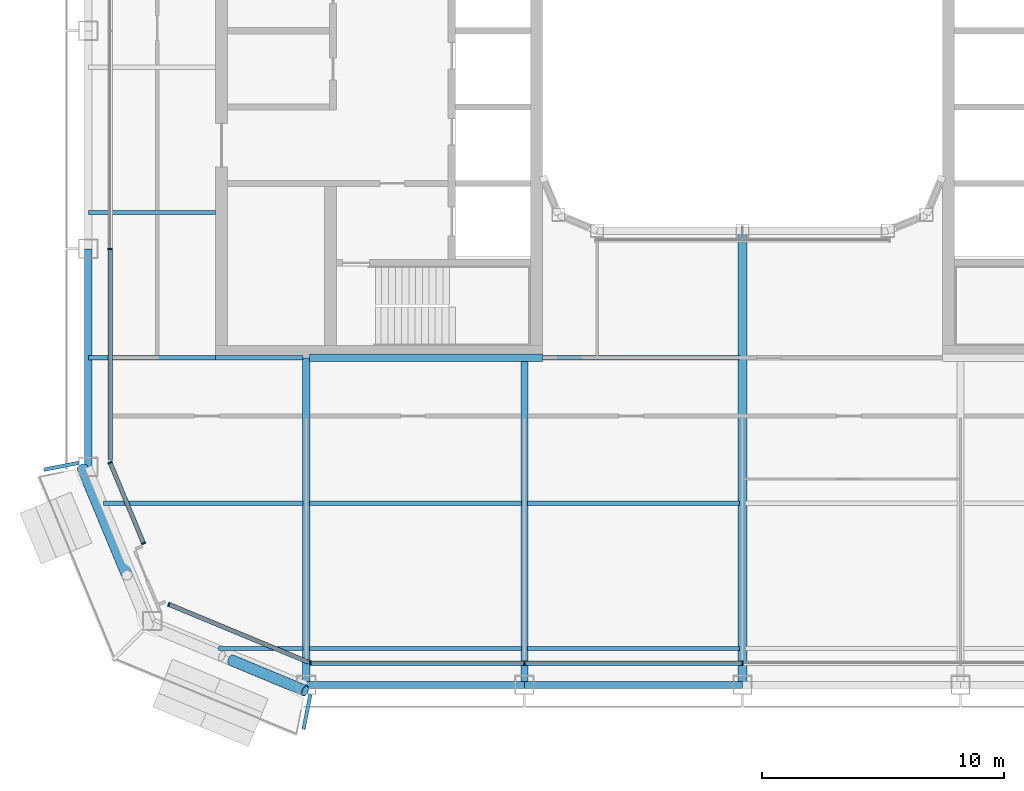
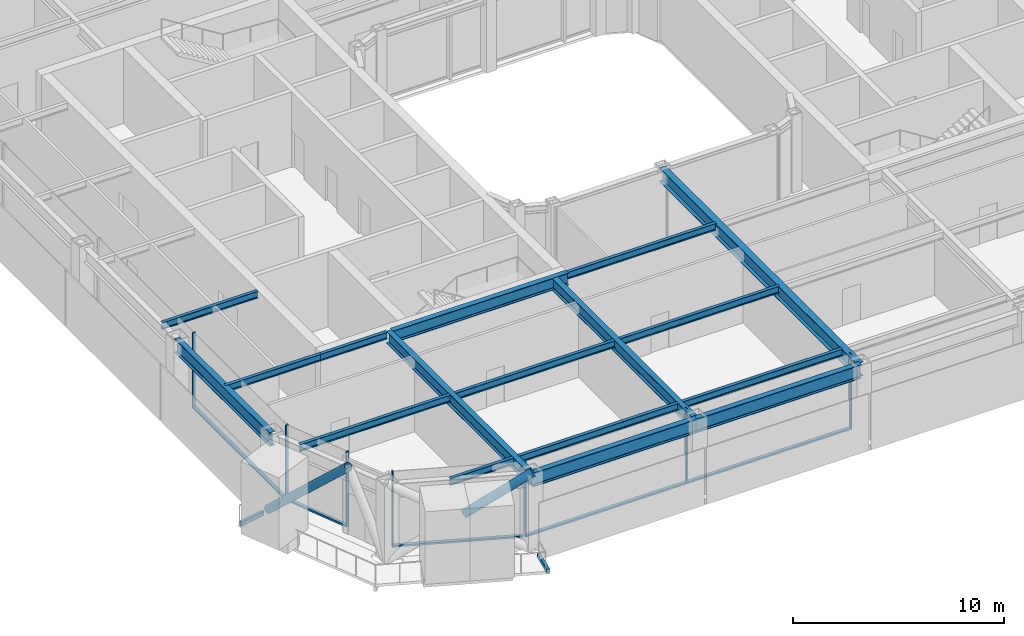
# One storey, part 2 of 23: 19 beams, 14 members, 4 elements without a shape of their own.
"""IFC4 building model written with IfcOpenShell, lengths in metres."""

from ifc_helpers import new_model, si_unit, direction, frame, origin, origin_2d, place, context, subcontext, project, spatial, rectangle, hollow_rectangle, hollow_circle, i_section, extrude, material, layer, layer_set, material_profile, profile_set, type_object, element, aggregate, save


model = new_model("IFC4")

# Units and contexts
model_context = context("Model", 3, precision=1e-05, world=origin(), true_north=direction((0.0, 1.0)))
body_context = subcontext(model_context, "Body", "Model", "MODEL_VIEW")
ifc_project = project(units=[si_unit("LENGTHUNIT", "METRE"), si_unit("AREAUNIT", "SQUARE_METRE"), si_unit("VOLUMEUNIT", "CUBIC_METRE"), si_unit("PLANEANGLEUNIT", "RADIAN"), si_unit("MASSUNIT", "GRAM", prefix="KILO")], contexts=[model_context])

# Site, building, storey
site_placement = place(None, origin())
site = spatial("IfcSite", under=ifc_project, at=site_placement, CompositionType="ELEMENT")
building_placement = place(site_placement, origin())
building = spatial("IfcBuilding", under=site, at=building_placement, Name="Siwar Civic Tower", CompositionType="ELEMENT")
storey_placement = place(building_placement, frame((0.0, 0.0, 251.199951171875)))
storey = spatial("IfcBuildingStorey", under=building, at=storey_placement, Name="L54", CompositionType="ELEMENT", Elevation=251.199951171875)

# Beams
ifc_material_1 = material(Name="Steel S355", Category="steel")
ifc_material_profile_1 = material_profile(ifc_material_1, hollow_rectangle(XDim=0.14990234375, YDim=0.25, WallThickness=0.010009765625, at=origin_2d()), Name="RHS250x150x10")
ifc_profile_set_1 = profile_set([ifc_material_profile_1], Name="Steel S355")
beam_type_1 = type_object("IfcBeamType", Name="ENV-BALCONY ARM", PredefinedType="BEAM", material=ifc_profile_set_1)
for number, where, z_axis, x_axis, name in (
    (1, (-27.39990234375, -17.8349609375, -0.27490234375), (-0.980794792252, -0.195042496631, 0.0), (0.195042496631, -0.980794792252, 0.0), "Balcony cantilever beam SW 1"),
    (2, (-17.8349609375, -27.39990234375, -0.27490234375), (-0.195042496631, -0.980794792252, 0.0), (0.980794792252, -0.195042496631, 0.0), "Balcony cantilever beam SW 3"),
):
    element("IfcBeam", number, at=place(storey_placement, frame(where, z_axis=z_axis, x_axis=x_axis)), inside=storey, type_object=beam_type_1, Name=name, PredefinedType="BEAM", context=body_context, shape_type="SweptSolid", body=[
        extrude(hollow_rectangle(XDim=0.14990234375, YDim=0.25, WallThickness=0.010009765625, at=origin_2d()), origin(), (0.0, 0.0, 1.0), 1.443359375),
    ])

# Curtain wall, members
ifc_material_2 = material(Name="Aluminium and glass", Category="aluminium")
ifc_layer_1 = layer(ifc_material_2, 0.179931640625)
ifc_layer_set_1 = layer_set([ifc_layer_1], Name="Aluminium and glass")
curtain_wall_type_1 = type_object("IfcCurtainWallType", Name="ENV-CW-C", PredefinedType="NOTDEFINED", material=ifc_layer_set_1)
curtain_wall_1_placement = place(storey_placement, origin())
curtain_wall_1 = element("IfcCurtainWall", 3, at=curtain_wall_1_placement, inside=storey, type_object=curtain_wall_type_1, Name="Curtain wall C S", PredefinedType="NOTDEFINED")
ifc_material_3 = material(Name="Aluminium 6063-T6", Category="aluminium")
ifc_material_profile_2 = material_profile(ifc_material_3, rectangle(XDim=0.179931640625, YDim=0.06005859375, at=origin_2d()), Name="AL 180x60")
ifc_profile_set_2 = profile_set([ifc_material_profile_2], Name="Aluminium 6063-T6")
member_type_1 = type_object("IfcMemberType", Name="ENV-MULLION-C", PredefinedType="MULLION", material=ifc_profile_set_2)
member_1_placement = place(storey_placement, frame((-17.821044921875, -26.10009765625, 0.0), z_axis=(0.0, 0.0, 1.0), x_axis=(0.0, 1.0, 0.0)))
member_1 = element("IfcMember", 4, at=member_1_placement, type_object=member_type_1, Name="Mullion C S 1", PredefinedType="MULLION", context=body_context, shape_type="SweptSolid", body=[
    extrude(rectangle(XDim=0.179931640625, YDim=0.06005859375, at=origin_2d()), origin(), (0.0, 0.0, 1.0), 4.35009765625),
])
member_2_placement = place(storey_placement, frame((-9.0, -26.10009765625, 0.0), z_axis=(0.0, 0.0, 1.0), x_axis=(0.0, 1.0, 0.0)))
member_2 = element("IfcMember", 5, at=member_2_placement, type_object=member_type_1, Name="Mullion C S 2", PredefinedType="MULLION", context=body_context, shape_type="SweptSolid", body=[
    extrude(rectangle(XDim=0.179931640625, YDim=0.06005859375, at=origin_2d()), origin(), (0.0, 0.0, 1.0), 4.35009765625),
])
member_3_placement = place(storey_placement, frame((0.0, -26.10009765625, 0.0), z_axis=(0.0, 0.0, 1.0), x_axis=(0.0, 1.0, 0.0)))
member_3 = element("IfcMember", 6, at=member_3_placement, type_object=member_type_1, Name="Mullion C S 3", PredefinedType="MULLION", context=body_context, shape_type="SweptSolid", body=[
    extrude(rectangle(XDim=0.179931640625, YDim=0.06005859375, at=origin_2d()), origin(), (0.0, 0.0, 1.0), 4.35009765625),
])

# Curtain wall, member
curtain_wall_2_placement = place(storey_placement, origin())
curtain_wall_2 = element("IfcCurtainWall", 7, at=curtain_wall_2_placement, inside=storey, type_object=curtain_wall_type_1, Name="Curtain wall C W", PredefinedType="NOTDEFINED")
member_4_placement = place(storey_placement, frame((-26.10009765625, -9.0, 0.0), z_axis=(0.0, 0.0, 1.0), x_axis=(1.0, 0.0, 0.0)))
member_4 = element("IfcMember", 8, at=member_4_placement, type_object=member_type_1, Name="Mullion C W 4", PredefinedType="MULLION", context=body_context, shape_type="SweptSolid", body=[
    extrude(rectangle(XDim=0.179931640625, YDim=0.06005859375, at=origin_2d()), origin(), (0.0, 0.0, 1.0), 4.35009765625),
])

# Curtain wall, members
ifc_material_4 = material(Name="Aluminium clad insulated panel", Category="aluminium")
ifc_layer_2 = layer(ifc_material_4, 0.179931640625)
ifc_layer_set_2 = layer_set([ifc_layer_2], Name="Aluminium clad insulated panel")
curtain_wall_type_2 = type_object("IfcCurtainWallType", Name="ENV-CW-CX", PredefinedType="NOTDEFINED", material=ifc_layer_set_2)
curtain_wall_3_placement = place(storey_placement, origin())
curtain_wall_3 = element("IfcCurtainWall", 9, at=curtain_wall_3_placement, inside=storey, type_object=curtain_wall_type_2, Name="Curtain wall C SW1", PredefinedType="NOTDEFINED")
member_5_placement = place(storey_placement, frame((-26.10009765625, -17.821044921875, 0.0), z_axis=(0.0, 0.0, 1.0), x_axis=(0.923879532511, 0.382683432365, 0.0)))
member_5 = element("IfcMember", 10, at=member_5_placement, type_object=member_type_1, Name="Mullion C SW1 1", PredefinedType="MULLION", context=body_context, shape_type="SweptSolid", body=[
    extrude(rectangle(XDim=0.179931640625, YDim=0.06005859375, at=origin_2d()), origin(), (0.0, 0.0, 1.0), 4.35009765625),
])
member_6_placement = place(storey_placement, frame((-24.719482421875, -21.153564453125, 0.0), z_axis=(0.0, 0.0, 1.0), x_axis=(0.923879532511, 0.382683432365, 0.0)))
member_6 = element("IfcMember", 11, at=member_6_placement, type_object=member_type_1, Name="Mullion C SW1 2", PredefinedType="MULLION", context=body_context, shape_type="SweptSolid", body=[
    extrude(rectangle(XDim=0.179931640625, YDim=0.06005859375, at=origin_2d()), origin(), (0.0, 0.0, 1.0), 4.35009765625),
])

# Curtain wall, member
curtain_wall_4_placement = place(storey_placement, origin())
curtain_wall_4 = element("IfcCurtainWall", 12, at=curtain_wall_4_placement, inside=storey, type_object=curtain_wall_type_2, Name="Curtain wall C SW2", PredefinedType="NOTDEFINED")
member_7_placement = place(storey_placement, frame((-23.675048828125, -23.675048828125, 0.0), z_axis=(0.0, 0.0, 1.0), x_axis=(0.382683432365, 0.923879532511, 0.0)))
member_7 = element("IfcMember", 13, at=member_7_placement, type_object=member_type_1, Name="Mullion C SW2 1", PredefinedType="MULLION", context=body_context, shape_type="SweptSolid", body=[
    extrude(rectangle(XDim=0.179931640625, YDim=0.06005859375, at=origin_2d()), origin(), (0.0, 0.0, 1.0), 4.35009765625),
])

# Member
ifc_material_5 = material(Name="Aluminium 6063-T6", Category="aluminium")
ifc_material_profile_3 = material_profile(ifc_material_5, rectangle(XDim=0.179931640625, YDim=0.10009765625, at=origin_2d()), Name="AL 180x100")
ifc_profile_set_3 = profile_set([ifc_material_profile_3], Name="Aluminium 6063-T6")
member_type_2 = type_object("IfcMemberType", Name="ENV-TRANSOM-C", PredefinedType="USERDEFINED", material=ifc_profile_set_3)
member_8_placement = place(storey_placement, frame((-17.791015625, -26.10009765625, 0.050048828125), z_axis=(1.0, 0.0, 0.0), x_axis=(0.0, 1.0, 0.0)))
member_8 = element("IfcMember", 14, at=member_8_placement, type_object=member_type_2, Name="Transom C S 1", ObjectType="TRANSOM", PredefinedType="USERDEFINED", context=body_context, shape_type="SweptSolid", body=[
    extrude(rectangle(XDim=0.179931640625, YDim=0.10009765625, at=origin_2d()), origin(), (0.0, 0.0, 1.0), 8.760986328125),
])

member_9_placement = place(storey_placement, frame((-8.969970703125, -26.10009765625, 0.050048828125), z_axis=(1.0, 0.0, 0.0), x_axis=(0.0, 1.0, 0.0)))
member_9 = element("IfcMember", 15, at=member_9_placement, type_object=member_type_2, Name="Transom C S 2", ObjectType="TRANSOM", PredefinedType="USERDEFINED", context=body_context, shape_type="SweptSolid", body=[
    extrude(rectangle(XDim=0.179931640625, YDim=0.10009765625, at=origin_2d()), origin(), (0.0, 0.0, 1.0), 8.93994140625),
])

aggregate(curtain_wall_1, [member_1, member_2, member_3, member_8, member_9])

member_10_placement = place(storey_placement, frame((-26.10009765625, -9.030029296875, 0.050048828125), z_axis=(0.0, -1.0, 0.0), x_axis=(1.0, 0.0, 0.0)))
member_10 = element("IfcMember", 16, at=member_10_placement, type_object=member_type_2, Name="Transom C W 4", ObjectType="TRANSOM", PredefinedType="USERDEFINED", context=body_context, shape_type="SweptSolid", body=[
    extrude(rectangle(XDim=0.179931640625, YDim=0.10009765625, at=origin_2d()), origin(), (0.0, 0.0, 1.0), 8.68603515625),
])

aggregate(curtain_wall_2, [member_4, member_10])

member_11_placement = place(storey_placement, frame((-26.088623046875, -17.8486328125, 0.050048828125), z_axis=(0.3827185099, -0.92386500214, 0.0), x_axis=(0.92386500214, 0.3827185099, 0.0)))
member_11 = element("IfcMember", 17, at=member_11_placement, type_object=member_type_2, Name="Transom C SW1 1", ObjectType="TRANSOM", PredefinedType="USERDEFINED", context=body_context, shape_type="SweptSolid", body=[
    extrude(rectangle(XDim=0.179931640625, YDim=0.10009765625, at=origin_2d()), origin(), (0.0, 0.0, 1.0), 3.54736328125),
])

aggregate(curtain_wall_3, [member_5, member_6, member_11])

member_12_placement = place(storey_placement, frame((-23.6474609375, -23.6865234375, 0.050048828125), z_axis=(0.923876246063, -0.382691366456, 0.0), x_axis=(0.382691366456, 0.923876246063, 0.0)))
member_12 = element("IfcMember", 18, at=member_12_placement, type_object=member_type_2, Name="Transom C SW2 1", ObjectType="TRANSOM", PredefinedType="USERDEFINED", context=body_context, shape_type="SweptSolid", body=[
    extrude(rectangle(XDim=0.179931640625, YDim=0.10009765625, at=origin_2d()), origin(), (0.0, 0.0, 1.0), 6.20166015625),
])

aggregate(curtain_wall_4, [member_7, member_12])

# Members
ifc_material_6 = material(Name="Steel S355", Category="steel")
ifc_material_profile_4 = material_profile(ifc_material_6, hollow_circle(Radius=0.228515625, WallThickness=0.02001953125, at=origin_2d()), Name="CHS457x20")
ifc_profile_set_4 = profile_set([ifc_material_profile_4], Name="Steel S355")
member_type_3 = type_object("IfcMemberType", Name="STR-BR-CHS457x20", PredefinedType="BRACE", material=ifc_profile_set_4)
member_13_placement = place(storey_placement, frame((-21.10302734375, -25.972900390625, 2.383056640625), z_axis=(0.777572496853, -0.323895306243, 0.538955325357), x_axis=(0.38452107079, 0.92311621485, 0.0)))
element("IfcMember", 19, at=member_13_placement, inside=storey, type_object=member_type_3, Name="L54/brc/CSW1-14-0-3", PredefinedType="BRACE", context=body_context, shape_type="SweptSolid", body=[
    extrude(hollow_circle(Radius=0.228515625, WallThickness=0.02001953125, at=origin_2d()), origin(), (0.0, 0.0, 1.0), 3.927978515625),
])
member_14_placement = place(storey_placement, frame((-27.2451171875, -18.048828125, 0.0), z_axis=(0.280310719993, -0.672864582402, 0.684601456328), x_axis=(0.923101041979, 0.384557494138, 0.0)))
element("IfcMember", 20, at=member_14_placement, inside=storey, type_object=member_type_3, Name="L54/brc/CSW1-14-0-0", PredefinedType="BRACE", context=body_context, shape_type="SweptSolid", body=[
    extrude(hollow_circle(Radius=0.228515625, WallThickness=0.02001953125, at=origin_2d()), origin(), (0.0, 0.0, 1.0), 6.5732421875),
])

# Beams
ifc_material_7 = material(Name="Steel S355", Category="steel")
ifc_material_profile_5 = material_profile(ifc_material_7, i_section(OverallWidth=0.179931640625, OverallDepth=0.39990234375, WebThickness=0.008544921875, FlangeThickness=0.013427734375, FilletRadius=0.02099609375, at=origin_2d()), Name="IPE400")
ifc_profile_set_5 = profile_set([ifc_material_profile_5], Name="Steel S355")
beam_type_2 = type_object("IfcBeamType", Name="STR-FB-IPE400", PredefinedType="JOIST", material=ifc_profile_set_5)
beam_1_placement = place(storey_placement, frame((-21.621337890625, -25.5, 4.150146484375), z_axis=(1.0, 0.0, 0.0), x_axis=(0.0, 1.0, 0.0)))
element("IfcBeam", 21, at=beam_1_placement, inside=storey, type_object=beam_type_2, Name="L54/bm/F001", PredefinedType="JOIST", context=body_context, shape_type="SweptSolid", body=[
    extrude(i_section(OverallWidth=0.179931640625, OverallDepth=0.39990234375, WebThickness=0.008544921875, FlangeThickness=0.013427734375, FilletRadius=0.02099609375, at=origin_2d()), origin(), (0.0, 0.0, 1.0), 3.491455078125),
])
for number, where, z_axis, x_axis, name in (
    (22, (-17.8701171875, -25.5, 4.150146484375), (1.0, 0.0, 0.0), (0.0, 1.0, 0.0), "L54/bm/F002"),
    (23, (-8.8701171875, -25.5, 4.150146484375), (1.0, 0.0, 0.0), (0.0, 1.0, 0.0), "L54/bm/F003"),
):
    element("IfcBeam", number, at=place(storey_placement, frame(where, z_axis=z_axis, x_axis=x_axis)), inside=storey, type_object=beam_type_2, Name=name, PredefinedType="JOIST", context=body_context, shape_type="SweptSolid", body=[
        extrude(i_section(OverallWidth=0.179931640625, OverallDepth=0.39990234375, WebThickness=0.008544921875, FlangeThickness=0.013427734375, FilletRadius=0.02099609375, at=origin_2d()), origin(), (0.0, 0.0, 1.0), 8.740234375),
    ])
beam_2_placement = place(storey_placement, frame((-26.378662109375, -19.5, 4.150146484375), z_axis=(1.0, 0.0, 0.0), x_axis=(0.0, 1.0, 0.0)))
element("IfcBeam", 24, at=beam_2_placement, inside=storey, type_object=beam_type_2, Name="L54/bm/F007", PredefinedType="JOIST", context=body_context, shape_type="SweptSolid", body=[
    extrude(i_section(OverallWidth=0.179931640625, OverallDepth=0.39990234375, WebThickness=0.008544921875, FlangeThickness=0.013427734375, FilletRadius=0.02099609375, at=origin_2d()), origin(), (0.0, 0.0, 1.0), 8.248779296875),
])
for number, where, z_axis, x_axis, name in (
    (25, (-17.8701171875, -19.5, 4.150146484375), (1.0, 0.0, 0.0), (0.0, 1.0, 0.0), "L54/bm/F008"),
    (26, (-8.8701171875, -19.5, 4.150146484375), (1.0, 0.0, 0.0), (0.0, 1.0, 0.0), "L54/bm/F009"),
):
    element("IfcBeam", number, at=place(storey_placement, frame(where, z_axis=z_axis, x_axis=x_axis)), inside=storey, type_object=beam_type_2, Name=name, PredefinedType="JOIST", context=body_context, shape_type="SweptSolid", body=[
        extrude(i_section(OverallWidth=0.179931640625, OverallDepth=0.39990234375, WebThickness=0.008544921875, FlangeThickness=0.013427734375, FilletRadius=0.02099609375, at=origin_2d()), origin(), (0.0, 0.0, 1.0), 8.740234375),
    ])
beam_3_placement = place(storey_placement, frame((-27.0, -13.5, 4.150146484375), z_axis=(1.0, 0.0, 0.0), x_axis=(0.0, 1.0, 0.0)))
element("IfcBeam", 27, at=beam_3_placement, inside=storey, type_object=beam_type_2, Name="L54/bm/F013", PredefinedType="JOIST", context=body_context, shape_type="SweptSolid", body=[
    extrude(i_section(OverallWidth=0.179931640625, OverallDepth=0.39990234375, WebThickness=0.008544921875, FlangeThickness=0.013427734375, FilletRadius=0.02099609375, at=origin_2d()), origin(), (0.0, 0.0, 1.0), 5.25),
])
beam_4_placement = place(storey_placement, frame((-21.75, -13.5, 4.150146484375), z_axis=(1.0, 0.0, 0.0), x_axis=(0.0, 1.0, 0.0)))
element("IfcBeam", 28, at=beam_4_placement, inside=storey, type_object=beam_type_2, Name="L54/bm/F014", PredefinedType="JOIST", context=body_context, shape_type="SweptSolid", body=[
    extrude(i_section(OverallWidth=0.179931640625, OverallDepth=0.39990234375, WebThickness=0.008544921875, FlangeThickness=0.013427734375, FilletRadius=0.02099609375, at=origin_2d()), origin(), (0.0, 0.0, 1.0), 3.6201171875),
])
beam_5_placement = place(storey_placement, frame((-8.25, -13.5, 4.150146484375), z_axis=(1.0, 0.0, 0.0), x_axis=(0.0, 1.0, 0.0)))
element("IfcBeam", 29, at=beam_5_placement, inside=storey, type_object=beam_type_2, Name="L54/bm/F016", PredefinedType="JOIST", context=body_context, shape_type="SweptSolid", body=[
    extrude(i_section(OverallWidth=0.179931640625, OverallDepth=0.39990234375, WebThickness=0.008544921875, FlangeThickness=0.013427734375, FilletRadius=0.02099609375, at=origin_2d()), origin(), (0.0, 0.0, 1.0), 8.1201171875),
])
beam_6_placement = place(storey_placement, frame((-27.0, -7.5, 4.150146484375), z_axis=(1.0, 0.0, 0.0), x_axis=(0.0, 1.0, 0.0)))
element("IfcBeam", 30, at=beam_6_placement, inside=storey, type_object=beam_type_2, Name="L54/bm/F021", PredefinedType="JOIST", context=body_context, shape_type="SweptSolid", body=[
    extrude(i_section(OverallWidth=0.179931640625, OverallDepth=0.39990234375, WebThickness=0.008544921875, FlangeThickness=0.013427734375, FilletRadius=0.02099609375, at=origin_2d()), origin(), (0.0, 0.0, 1.0), 5.25),
])
ifc_material_8 = material(Name="Steel S355", Category="steel")
ifc_material_profile_6 = material_profile(ifc_material_8, i_section(OverallWidth=0.300048828125, OverallDepth=0.699951171875, WebThickness=0.01708984375, FlangeThickness=0.031982421875, FilletRadius=0.027099609375, at=origin_2d()), Name="HEB700")
ifc_profile_set_6 = profile_set([ifc_material_profile_6], Name="Steel S355")
beam_type_3 = type_object("IfcBeamType", Name="STR-PG-HEB700", PredefinedType="BEAM", material=ifc_profile_set_6)
for number, where, z_axis, x_axis, name in (
    (31, (-18.0, -27.0, 4.0), (0.0, 1.0, 0.0), (-1.0, 0.0, 0.0), "L54/bm/G01"),
    (32, (-9.0, -27.0, 4.0), (0.0, 1.0, 0.0), (-1.0, 0.0, 0.0), "L54/bm/G03"),
):
    element("IfcBeam", number, at=place(storey_placement, frame(where, z_axis=z_axis, x_axis=x_axis)), inside=storey, type_object=beam_type_3, Name=name, PredefinedType="BEAM", context=body_context, shape_type="SweptSolid", body=[
        extrude(i_section(OverallWidth=0.300048828125, OverallDepth=0.699951171875, WebThickness=0.01708984375, FlangeThickness=0.031982421875, FilletRadius=0.027099609375, at=origin_2d()), origin(), (0.0, 0.0, 1.0), 13.5),
    ])
beam_7_placement = place(storey_placement, frame((-17.8701171875, -13.5, 4.0), z_axis=(1.0, 0.0, 0.0), x_axis=(0.0, 1.0, 0.0)))
element("IfcBeam", 33, at=beam_7_placement, inside=storey, type_object=beam_type_3, Name="L54/bm/F015", PredefinedType="BEAM", context=body_context, shape_type="SweptSolid", body=[
    extrude(i_section(OverallWidth=0.300048828125, OverallDepth=0.699951171875, WebThickness=0.01708984375, FlangeThickness=0.031982421875, FilletRadius=0.027099609375, at=origin_2d()), origin(), (0.0, 0.0, 1.0), 9.6201171875),
])
ifc_material_9 = material(Name="Steel S355", Category="steel")
ifc_material_profile_7 = material_profile(ifc_material_9, i_section(OverallWidth=0.360107421875, OverallDepth=0.800048828125, WebThickness=0.013916015625, FlangeThickness=0.031982421875, at=origin_2d()), Name="PG800x360x14x32")
ifc_profile_set_7 = profile_set([ifc_material_profile_7], Name="Steel S355")
beam_type_4 = type_object("IfcBeamType", Name="STR-PG-PG800x360x14x32", PredefinedType="BEAM", material=ifc_profile_set_7)
beam_8_placement = place(storey_placement, frame((0.0, -27.0, 3.949951171875), z_axis=(0.0, 1.0, 0.0), x_axis=(-1.0, 0.0, 0.0)))
element("IfcBeam", 34, at=beam_8_placement, inside=storey, type_object=beam_type_4, Name="L54/bm/G05", PredefinedType="BEAM", context=body_context, shape_type="SweptSolid", body=[
    extrude(i_section(OverallWidth=0.360107421875, OverallDepth=0.800048828125, WebThickness=0.013916015625, FlangeThickness=0.031982421875, at=origin_2d()), origin(), (0.0, 0.0, 1.0), 18.75),
])
ifc_material_10 = material(Name="Steel S355", Category="steel")
ifc_material_profile_8 = material_profile(ifc_material_10, i_section(OverallWidth=0.300048828125, OverallDepth=0.800048828125, WebThickness=0.017578125, FlangeThickness=0.032958984375, FilletRadius=0.030029296875, at=origin_2d()), Name="HEB800")
ifc_profile_set_8 = profile_set([ifc_material_profile_8], Name="Steel S355")
beam_type_5 = type_object("IfcBeamType", Name="STR-SB-HEB800", PredefinedType="BEAM", material=ifc_profile_set_8)
for number, where, z_axis, x_axis, name in (
    (35, (-18.0, -27.0, 3.949951171875), (1.0, 0.0, 0.0), (0.0, 1.0, 0.0), "L54/bm/SS-0"),
    (36, (-9.0, -27.0, 3.949951171875), (1.0, 0.0, 0.0), (0.0, 1.0, 0.0), "L54/bm/SS-1"),
    (37, (-27.0, -9.0, 3.949951171875), (0.0, -1.0, 0.0), (1.0, 0.0, 0.0), "L54/bm/SW-3"),
):
    element("IfcBeam", number, at=place(storey_placement, frame(where, z_axis=z_axis, x_axis=x_axis)), inside=storey, type_object=beam_type_5, Name=name, PredefinedType="BEAM", context=body_context, shape_type="SweptSolid", body=[
        extrude(i_section(OverallWidth=0.300048828125, OverallDepth=0.800048828125, WebThickness=0.017578125, FlangeThickness=0.032958984375, FilletRadius=0.030029296875, at=origin_2d()), origin(), (0.0, 0.0, 1.0), 9.0),
    ])

save(model, "model.ifc")
